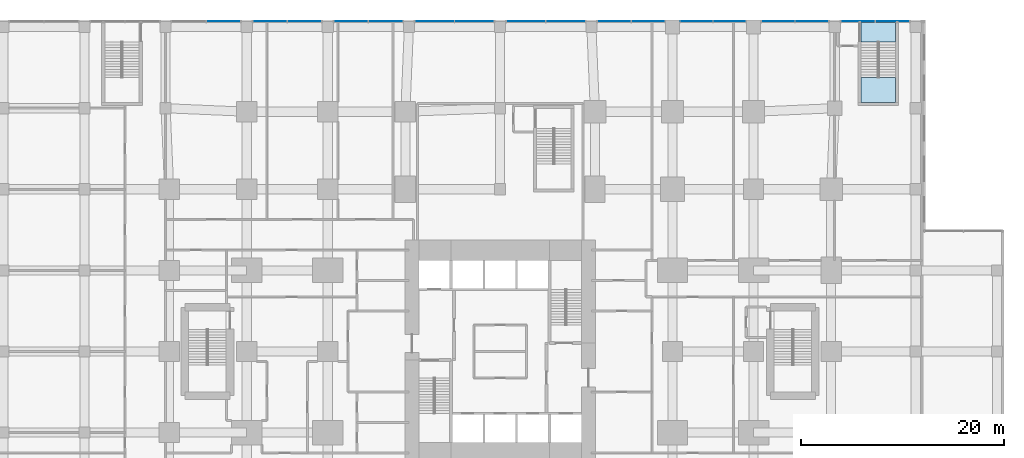
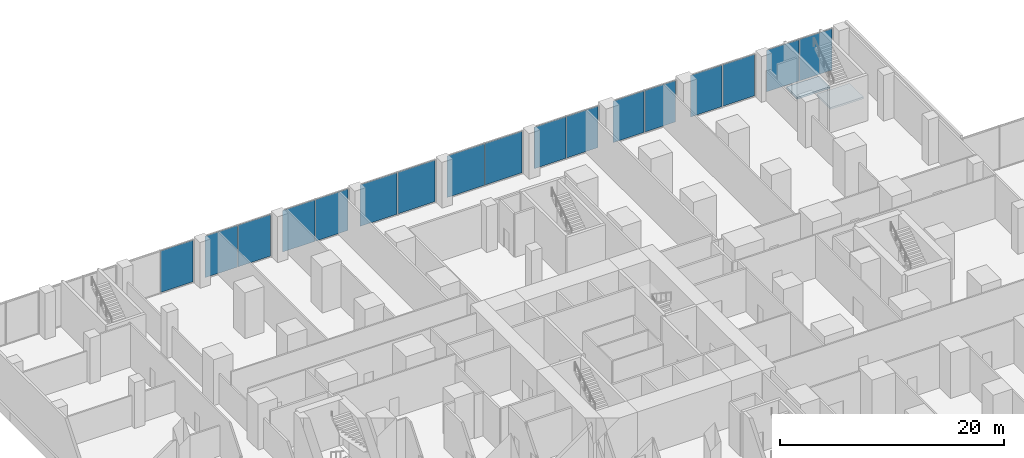
# One storey, part 10 of 22: 17 plates, 2 slabs, 10 elements without a shape of their own.
"""IFC4 building model written with IfcOpenShell, lengths in metres."""

import ifcopenshell
import ifcopenshell.guid

model = None  # the IFC model being written
_history = None  # IfcOwnerHistory: only IFC2X3 demands one
_inside = {}  # id of a spatial element -> (the spatial element, [elements in it])
_under = {}  # id of a project, library or spatial element -> (it, [spatial elements below it])
_declared = {}  # id of a project -> (the project, [libraries it declares])
_typed = {}  # id of a type object -> (the type object, [elements of that type])
_made_of = {}  # id of a material, layer set ... -> (it, [elements and type objects made of it])


def new_model(schema):
    """Start an empty IFC model of exactly this schema.

    Asked for "IFC4X3", IfcOpenShell would pick the latest addendum, in which some entities
    have other attributes; the version numbers below select the first issue.
    IFC2X3 requires an IfcOwnerHistory on every rooted entity: one is made here for all.
    """
    global model, _history
    if schema == "IFC4X3":
        model = ifcopenshell.file(schema_version=(4, 3, 0, 0))
    else:
        model = ifcopenshell.file(schema=schema)
    _inside.clear()
    _under.clear()
    _declared.clear()
    _typed.clear()
    _made_of.clear()
    _history = None
    if model.schema == "IFC2X3":
        org = make("IfcOrganization", Name="unknown")
        user = make(
            "IfcPersonAndOrganization",
            ThePerson=make("IfcPerson", FamilyName="unknown"),
            TheOrganization=org,
        )
        app = make(
            "IfcApplication",
            ApplicationDeveloper=org,
            Version="unknown",
            ApplicationFullName="unknown",
            ApplicationIdentifier="unknown",
        )
        _history = make(
            "IfcOwnerHistory",
            OwningUser=user,
            OwningApplication=app,
            ChangeAction="ADDED",
            CreationDate=0,
        )
    return model


def make(cls, **values):
    """One entity of the class cls with the attributes given. An attribute that is None is left unset."""
    return model.create_entity(
        cls, **{name: value for name, value in values.items() if value is not None}
    )


def rooted(cls, **values):
    """An entity with a GlobalId (a new one), such as an element, a storey or a relation."""
    return make(cls, GlobalId=ifcopenshell.guid.new(), OwnerHistory=_history, **values)


def si_unit(unit_type, name, prefix=None):
    """IfcSIUnit, for example si_unit("LENGTHUNIT", "METRE", prefix="MILLI")."""
    return make("IfcSIUnit", UnitType=unit_type, Prefix=prefix, Name=name)


def assignment(units):
    """IfcUnitAssignment: the units of a project."""
    return None if units is None else make("IfcUnitAssignment", Units=units)


def point(xyz):
    """IfcCartesianPoint."""
    return None if xyz is None else make("IfcCartesianPoint", Coordinates=xyz)


def direction(xyz):
    """IfcDirection."""
    return None if xyz is None else make("IfcDirection", DirectionRatios=xyz)


def frame(location, z_axis=None, x_axis=None):
    """IfcAxis2Placement3D, a coordinate frame: its origin and axes. An axis left out is left unset."""
    return make(
        "IfcAxis2Placement3D",
        Location=point(location),
        Axis=direction(z_axis),
        RefDirection=direction(x_axis),
    )


def frame_2d(location, x_axis=None):
    """IfcAxis2Placement2D, a coordinate frame in the plane: its origin and x axis."""
    return make(
        "IfcAxis2Placement2D", Location=point(location), RefDirection=direction(x_axis)
    )


def origin():
    """The frame at (0, 0, 0) with its axes left unset."""
    return frame((0.0, 0.0, 0.0))


def origin_2d():
    """The frame at (0, 0) in the plane with its x axis left unset."""
    return frame_2d((0.0, 0.0))


def place(relative_to, where):
    """IfcLocalPlacement: puts the frame where relative to a parent placement (None: the world)."""
    return make(
        "IfcLocalPlacement", PlacementRelTo=relative_to, RelativePlacement=where
    )


def context(
    kind, dimensions, precision=None, world=None, true_north=None, identifier=None
):
    """IfcGeometricRepresentationContext, for example the 3D "Model" context."""
    return make(
        "IfcGeometricRepresentationContext",
        ContextIdentifier=identifier,
        ContextType=kind,
        CoordinateSpaceDimension=dimensions,
        Precision=precision,
        WorldCoordinateSystem=world,
        TrueNorth=true_north,
    )


def subcontext(parent, identifier, kind, view, scale=None):
    """IfcGeometricRepresentationSubContext, for example "Body" below "Model"."""
    return make(
        "IfcGeometricRepresentationSubContext",
        ContextIdentifier=identifier,
        ContextType=kind,
        ParentContext=parent,
        TargetScale=scale,
        TargetView=view,
    )


def project(units=None, contexts=None):
    """IfcProject with its units and contexts."""
    return rooted(
        "IfcProject",
        Name="project",
        RepresentationContexts=contexts,
        UnitsInContext=assignment(units),
    )


def spatial(cls, under=None, at=None, **own):
    """A site, building, storey or space (cls), placed at a placement, below another one or the project."""
    s = rooted(cls, ObjectPlacement=at, **own)
    if under is not None:
        _under.setdefault(under.id(), (under, []))[1].append(s)
    return s


def polyline(points):
    """IfcPolyline through the points."""
    return make("IfcPolyline", Points=[point(p) for p in points])


def profile(cls, at=None, kind="AREA", **sizes):
    """A parametric profile (cls). Its sizes go by their IFC names, for example OverallWidth=200.0."""
    return make(cls, ProfileType=kind, Position=at, **sizes)


def rectangle(**sizes):
    """IfcRectangleProfileDef."""
    return profile("IfcRectangleProfileDef", **sizes)


def outline(outer, holes=None, kind="AREA"):
    """IfcArbitraryClosedProfileDef: a profile drawn as a closed curve; with holes, ...WithVoids."""
    if holes is None:
        return make("IfcArbitraryClosedProfileDef", ProfileType=kind, OuterCurve=outer)
    return make(
        "IfcArbitraryProfileDefWithVoids",
        ProfileType=kind,
        OuterCurve=outer,
        InnerCurves=holes,
    )


def extrude(swept, where, along, depth):
    """IfcExtrudedAreaSolid: the profile swept, set in the frame where, extruded along a direction by depth."""
    return make(
        "IfcExtrudedAreaSolid",
        SweptArea=swept,
        Position=where,
        ExtrudedDirection=direction(along),
        Depth=depth,
    )


def shape(context_of_items, identifier, shape_type, items):
    """IfcShapeRepresentation: the items that make up one representation, for example the "Body"."""
    return make(
        "IfcShapeRepresentation",
        ContextOfItems=context_of_items,
        RepresentationIdentifier=identifier,
        RepresentationType=shape_type,
        Items=items,
    )


def material(Name=None, Category=None):
    """IfcMaterial."""
    return make("IfcMaterial", Name=Name, Category=Category)


def layer(
    of_material, thickness, ventilated=None, Name=None, Category=None, Priority=None
):
    """IfcMaterialLayer: one layer of a wall or slab, of a material (None: an air gap)."""
    return make(
        "IfcMaterialLayer",
        Material=of_material,
        LayerThickness=thickness,
        IsVentilated=ventilated,
        Name=Name,
        Category=Category,
        Priority=Priority,
    )


def layer_set(layers, Name=None):
    """IfcMaterialLayerSet."""
    return make("IfcMaterialLayerSet", MaterialLayers=layers, LayerSetName=Name)


def made_of(thing, what):
    """Note that an element or type object is made of a material, layer set ...; save() writes the relation."""
    if what is not None:
        _made_of.setdefault(what.id(), (what, []))[1].append(thing)
    return thing


def type_object(cls, material=None, **own):
    """A type object (cls), such as IfcWallType, which elements share."""
    return made_of(rooted(cls, **own), material)


def element(
    cls,
    number,
    at=None,
    inside=None,
    cuts=None,
    type_object=None,
    material=None,
    context=None,
    identifier="Body",
    shape_type=None,
    held_by="IfcProductDefinitionShape",
    body=None,
    shapes=None,
    **own,
):
    """One element of the class cls, such as IfcWall. Its Tag is "e" and its number.

    at: its placement. inside: the storey or other place that contains it. cuts: it is an
    opening in that element (IfcRelVoidsElement). A single representation is given by context,
    identifier, shape_type and body (its items); several are given by shapes. held_by: the class
    of the entity that holds the representations. save() writes the other relations.
    """
    e = rooted(cls, Tag="e%d" % number, ObjectPlacement=at, **own)
    if body is not None:
        shapes = [shape(context, identifier, shape_type, body)]
    if shapes is not None:
        e.Representation = make(held_by, Representations=shapes)
    if inside is not None:
        _inside.setdefault(inside.id(), (inside, []))[1].append(e)
    if cuts is not None:
        rooted(
            "IfcRelVoidsElement", RelatingBuildingElement=cuts, RelatedOpeningElement=e
        )
    if type_object is not None:
        _typed.setdefault(type_object.id(), (type_object, []))[1].append(e)
    return made_of(e, material)


def aggregate(whole, parts):
    """IfcRelAggregates: a whole, such as a stair, and the parts it consists of."""
    return rooted("IfcRelAggregates", RelatingObject=whole, RelatedObjects=parts)


def save(model, path):
    """Write the relations noted so far, then the file.

    IfcRelAggregates (storeys below a building ...), IfcRelContainedInSpatialStructure (elements
    in a storey), IfcRelDefinesByType, IfcRelAssociatesMaterial and IfcRelDeclares: one each for
    every whole, place, type object, material and project.
    """
    for whole, parts in _under.values():
        aggregate(whole, parts)
    for where, things in _inside.values():
        rooted(
            "IfcRelContainedInSpatialStructure",
            RelatedElements=things,
            RelatingStructure=where,
        )
    for kind, things in _typed.values():
        rooted("IfcRelDefinesByType", RelatedObjects=things, RelatingType=kind)
    for what, things in _made_of.values():
        rooted("IfcRelAssociatesMaterial", RelatedObjects=things, RelatingMaterial=what)
    for by, libraries in _declared.values():
        rooted("IfcRelDeclares", RelatingContext=by, RelatedDefinitions=libraries)
    model.write(path)


model = new_model("IFC4")

# Units and contexts
model_context = context("Model", 3, precision=1e-05, world=origin(), true_north=direction((0.0, 1.0)))
body_context = subcontext(model_context, "Body", "Model", "MODEL_VIEW")
ifc_project = project(units=[si_unit("LENGTHUNIT", "METRE"), si_unit("AREAUNIT", "SQUARE_METRE"), si_unit("VOLUMEUNIT", "CUBIC_METRE"), si_unit("PLANEANGLEUNIT", "RADIAN"), si_unit("MASSUNIT", "GRAM", prefix="KILO")], contexts=[model_context])

# Site, building, storey
site_placement = place(None, origin())
site = spatial("IfcSite", under=ifc_project, at=site_placement, CompositionType="ELEMENT")
building_placement = place(site_placement, origin())
building = spatial("IfcBuilding", under=site, at=building_placement, Name="Cleftline Residences", CompositionType="ELEMENT")
storey_placement = place(building_placement, frame((0.0, 0.0, 6.0)))
storey = spatial("IfcBuildingStorey", under=building, at=storey_placement, Name="L01", CompositionType="ELEMENT", Elevation=6.0)

# Curtain wall, plates
ifc_material_1 = material(Name="Aluminium framed curtain wall", Category="aluminium")
ifc_layer_1 = layer(ifc_material_1, 0.199951171875)
ifc_layer_set_1 = layer_set([ifc_layer_1], Name="CW2 PODIUM GLAZING")
curtain_wall_type = type_object("IfcCurtainWallType", Name="CW2 PODIUM GLAZING", PredefinedType="NOTDEFINED", material=ifc_layer_set_1)
curtain_wall_1_placement = place(storey_placement, origin())
curtain_wall_1 = element("IfcCurtainWall", 1, at=curtain_wall_1_placement, inside=storey, type_object=curtain_wall_type, Name="Curtain wall CW2", PredefinedType="NOTDEFINED")
ifc_material_2 = material(Name="Laminated clear glass", Category="glass")
ifc_layer_2 = layer(ifc_material_2, 0.028076171875)
ifc_layer_set_2 = layer_set([ifc_layer_2], Name="CW2 GLASS PANEL")
plate_type = type_object("IfcPlateType", Name="CW2 GLASS PANEL", PredefinedType="CURTAIN_PANEL", material=ifc_layer_set_2)
plate_1_placement = place(storey_placement, frame((71.705078125, 56.574951171875, 0.080078125), z_axis=(0.0, 0.0, 1.0), x_axis=(-1.0, 0.0, 0.0)))
plate_1 = element("IfcPlate", 2, at=plate_1_placement, type_object=plate_type, Name="CW2 panel 1.1", PredefinedType="CURTAIN_PANEL", context=body_context, shape_type="SweptSolid", body=[
    extrude(rectangle(XDim=3.330078125, YDim=0.028076171875, at=origin_2d()), origin(), (0.0, 0.0, 1.0), 4.5400390625),
])
plate_2_placement = place(storey_placement, frame((68.294921875, 56.574951171875, 0.080078125), z_axis=(0.0, 0.0, 1.0), x_axis=(-1.0, 0.0, 0.0)))
plate_2 = element("IfcPlate", 3, at=plate_2_placement, type_object=plate_type, Name="CW2 panel 2.1", PredefinedType="CURTAIN_PANEL", context=body_context, shape_type="SweptSolid", body=[
    extrude(rectangle(XDim=3.330078125, YDim=0.028076171875, at=origin_2d()), origin(), (0.0, 0.0, 1.0), 4.5400390625),
])
aggregate(curtain_wall_1, [plate_1, plate_2])

curtain_wall_2_placement = place(storey_placement, origin())
curtain_wall_2 = element("IfcCurtainWall", 4, at=curtain_wall_2_placement, inside=storey, type_object=curtain_wall_type, Name="Curtain wall CW2", PredefinedType="NOTDEFINED")
plate_3_placement = place(storey_placement, frame((63.742431640625, 56.574951171875, 0.080078125), z_axis=(0.0, 0.0, 1.0), x_axis=(-1.0, 0.0, 0.0)))
plate_3 = element("IfcPlate", 5, at=plate_3_placement, type_object=plate_type, Name="CW2 panel 1.1", PredefinedType="CURTAIN_PANEL", context=body_context, shape_type="SweptSolid", body=[
    extrude(rectangle(XDim=3.2548828125, YDim=0.028076171875, at=origin_2d()), origin(), (0.0, 0.0, 1.0), 4.5400390625),
])
plate_4_placement = place(storey_placement, frame((60.407470703125, 56.574951171875, 0.080078125), z_axis=(0.0, 0.0, 1.0), x_axis=(-1.0, 0.0, 0.0)))
plate_4 = element("IfcPlate", 6, at=plate_4_placement, type_object=plate_type, Name="CW2 panel 2.1", PredefinedType="CURTAIN_PANEL", context=body_context, shape_type="SweptSolid", body=[
    extrude(rectangle(XDim=3.2548828125, YDim=0.028076171875, at=origin_2d()), origin(), (0.0, 0.0, 1.0), 4.5400390625),
])
aggregate(curtain_wall_2, [plate_3, plate_4])

curtain_wall_3_placement = place(storey_placement, origin())
curtain_wall_3 = element("IfcCurtainWall", 7, at=curtain_wall_3_placement, inside=storey, type_object=curtain_wall_type, Name="Curtain wall CW2", PredefinedType="NOTDEFINED")
plate_5_placement = place(storey_placement, frame((55.6298828125, 56.574951171875, 0.080078125), z_axis=(0.0, 0.0, 1.0), x_axis=(-1.0, 0.0, 0.0)))
plate_5 = element("IfcPlate", 8, at=plate_5_placement, type_object=plate_type, Name="CW2 panel 1.1", PredefinedType="CURTAIN_PANEL", context=body_context, shape_type="SweptSolid", body=[
    extrude(rectangle(XDim=3.179931640625, YDim=0.028076171875, at=origin_2d()), origin(), (0.0, 0.0, 1.0), 4.5400390625),
])
plate_6_placement = place(storey_placement, frame((52.3701171875, 56.574951171875, 0.080078125), z_axis=(0.0, 0.0, 1.0), x_axis=(-1.0, 0.0, 0.0)))
plate_6 = element("IfcPlate", 9, at=plate_6_placement, type_object=plate_type, Name="CW2 panel 2.1", PredefinedType="CURTAIN_PANEL", context=body_context, shape_type="SweptSolid", body=[
    extrude(rectangle(XDim=3.179931640625, YDim=0.028076171875, at=origin_2d()), origin(), (0.0, 0.0, 1.0), 4.5400390625),
])
aggregate(curtain_wall_3, [plate_5, plate_6])

curtain_wall_4_placement = place(storey_placement, origin())
curtain_wall_4 = element("IfcCurtainWall", 10, at=curtain_wall_4_placement, inside=storey, type_object=curtain_wall_type, Name="Curtain wall CW2", PredefinedType="NOTDEFINED")
plate_7_placement = place(storey_placement, frame((47.592529296875, 56.574951171875, 0.080078125), z_axis=(0.0, 0.0, 1.0), x_axis=(-1.0, 0.0, 0.0)))
plate_7 = element("IfcPlate", 11, at=plate_7_placement, type_object=plate_type, Name="CW2 panel 1.1", PredefinedType="CURTAIN_PANEL", context=body_context, shape_type="SweptSolid", body=[
    extrude(rectangle(XDim=3.2548828125, YDim=0.028076171875, at=origin_2d()), origin(), (0.0, 0.0, 1.0), 4.5400390625),
])
plate_8_placement = place(storey_placement, frame((44.257568359375, 56.574951171875, 0.080078125), z_axis=(0.0, 0.0, 1.0), x_axis=(-1.0, 0.0, 0.0)))
plate_8 = element("IfcPlate", 12, at=plate_8_placement, type_object=plate_type, Name="CW2 panel 2.1", PredefinedType="CURTAIN_PANEL", context=body_context, shape_type="SweptSolid", body=[
    extrude(rectangle(XDim=3.2548828125, YDim=0.028076171875, at=origin_2d()), origin(), (0.0, 0.0, 1.0), 4.5400390625),
])
aggregate(curtain_wall_4, [plate_7, plate_8])

curtain_wall_5_placement = place(storey_placement, origin())
curtain_wall_5 = element("IfcCurtainWall", 13, at=curtain_wall_5_placement, inside=storey, type_object=curtain_wall_type, Name="Curtain wall CW2", PredefinedType="NOTDEFINED")
plate_9_placement = place(storey_placement, frame((39.455078125, 56.574951171875, 0.080078125), z_axis=(0.0, 0.0, 1.0), x_axis=(-1.0, 0.0, 0.0)))
plate_9 = element("IfcPlate", 14, at=plate_9_placement, type_object=plate_type, Name="CW2 panel 1.1", PredefinedType="CURTAIN_PANEL", context=body_context, shape_type="SweptSolid", body=[
    extrude(rectangle(XDim=3.830078125, YDim=0.028076171875, at=origin_2d()), origin(), (0.0, 0.0, 1.0), 4.5400390625),
])
plate_10_placement = place(storey_placement, frame((35.544921875, 56.574951171875, 0.080078125), z_axis=(0.0, 0.0, 1.0), x_axis=(-1.0, 0.0, 0.0)))
plate_10 = element("IfcPlate", 15, at=plate_10_placement, type_object=plate_type, Name="CW2 panel 2.1", PredefinedType="CURTAIN_PANEL", context=body_context, shape_type="SweptSolid", body=[
    extrude(rectangle(XDim=3.830078125, YDim=0.028076171875, at=origin_2d()), origin(), (0.0, 0.0, 1.0), 4.5400390625),
])
aggregate(curtain_wall_5, [plate_9, plate_10])

curtain_wall_6_placement = place(storey_placement, origin())
curtain_wall_6 = element("IfcCurtainWall", 16, at=curtain_wall_6_placement, inside=storey, type_object=curtain_wall_type, Name="Curtain wall CW2", PredefinedType="NOTDEFINED")
plate_11_placement = place(storey_placement, frame((30.455078125, 56.574951171875, 0.080078125), z_axis=(0.0, 0.0, 1.0), x_axis=(-1.0, 0.0, 0.0)))
plate_11 = element("IfcPlate", 17, at=plate_11_placement, type_object=plate_type, Name="CW2 panel 1.1", PredefinedType="CURTAIN_PANEL", context=body_context, shape_type="SweptSolid", body=[
    extrude(rectangle(XDim=3.830078125, YDim=0.028076171875, at=origin_2d()), origin(), (0.0, 0.0, 1.0), 4.5400390625),
])
plate_12_placement = place(storey_placement, frame((26.544921875, 56.574951171875, 0.080078125), z_axis=(0.0, 0.0, 1.0), x_axis=(-1.0, 0.0, 0.0)))
plate_12 = element("IfcPlate", 18, at=plate_12_placement, type_object=plate_type, Name="CW2 panel 2.1", PredefinedType="CURTAIN_PANEL", context=body_context, shape_type="SweptSolid", body=[
    extrude(rectangle(XDim=3.830078125, YDim=0.028076171875, at=origin_2d()), origin(), (0.0, 0.0, 1.0), 4.5400390625),
])
aggregate(curtain_wall_6, [plate_11, plate_12])

curtain_wall_7_placement = place(storey_placement, origin())
curtain_wall_7 = element("IfcCurtainWall", 19, at=curtain_wall_7_placement, inside=storey, type_object=curtain_wall_type, Name="Curtain wall CW2", PredefinedType="NOTDEFINED")
plate_13_placement = place(storey_placement, frame((21.705078125, 56.574951171875, 0.080078125), z_axis=(0.0, 0.0, 1.0), x_axis=(-1.0, 0.0, 0.0)))
plate_13 = element("IfcPlate", 20, at=plate_13_placement, type_object=plate_type, Name="CW2 panel 1.1", PredefinedType="CURTAIN_PANEL", context=body_context, shape_type="SweptSolid", body=[
    extrude(rectangle(XDim=3.330078125, YDim=0.028076171875, at=origin_2d()), origin(), (0.0, 0.0, 1.0), 4.5400390625),
])
plate_14_placement = place(storey_placement, frame((18.294921875, 56.574951171875, 0.080078125), z_axis=(0.0, 0.0, 1.0), x_axis=(-1.0, 0.0, 0.0)))
plate_14 = element("IfcPlate", 21, at=plate_14_placement, type_object=plate_type, Name="CW2 panel 2.1", PredefinedType="CURTAIN_PANEL", context=body_context, shape_type="SweptSolid", body=[
    extrude(rectangle(XDim=3.330078125, YDim=0.028076171875, at=origin_2d()), origin(), (0.0, 0.0, 1.0), 4.5400390625),
])
aggregate(curtain_wall_7, [plate_13, plate_14])

curtain_wall_8_placement = place(storey_placement, origin())
curtain_wall_8 = element("IfcCurtainWall", 22, at=curtain_wall_8_placement, inside=storey, type_object=curtain_wall_type, Name="Curtain wall CW2", PredefinedType="NOTDEFINED")
plate_15_placement = place(storey_placement, frame((13.705078125, 56.574951171875, 0.080078125), z_axis=(0.0, 0.0, 1.0), x_axis=(-1.0, 0.0, 0.0)))
plate_15 = element("IfcPlate", 23, at=plate_15_placement, type_object=plate_type, Name="CW2 panel 1.1", PredefinedType="CURTAIN_PANEL", context=body_context, shape_type="SweptSolid", body=[
    extrude(rectangle(XDim=3.330078125, YDim=0.028076171875, at=origin_2d()), origin(), (0.0, 0.0, 1.0), 4.5400390625),
])
plate_16_placement = place(storey_placement, frame((10.294921875, 56.574951171875, 0.080078125), z_axis=(0.0, 0.0, 1.0), x_axis=(-1.0, 0.0, 0.0)))
plate_16 = element("IfcPlate", 24, at=plate_16_placement, type_object=plate_type, Name="CW2 panel 2.1", PredefinedType="CURTAIN_PANEL", context=body_context, shape_type="SweptSolid", body=[
    extrude(rectangle(XDim=3.330078125, YDim=0.028076171875, at=origin_2d()), origin(), (0.0, 0.0, 1.0), 4.5400390625),
])
aggregate(curtain_wall_8, [plate_15, plate_16])

# Curtain wall, plate
curtain_wall_9_placement = place(storey_placement, origin())
curtain_wall_9 = element("IfcCurtainWall", 25, at=curtain_wall_9_placement, inside=storey, type_object=curtain_wall_type, Name="Curtain wall CW2", PredefinedType="NOTDEFINED")
plate_17_placement = place(storey_placement, frame((5.705078125, 56.574951171875, 0.080078125), z_axis=(0.0, 0.0, 1.0), x_axis=(-1.0, 0.0, 0.0)))
plate_17 = element("IfcPlate", 26, at=plate_17_placement, type_object=plate_type, Name="CW2 panel 1.1", PredefinedType="CURTAIN_PANEL", context=body_context, shape_type="SweptSolid", body=[
    extrude(rectangle(XDim=3.330078125, YDim=0.028076171875, at=origin_2d()), origin(), (0.0, 0.0, 1.0), 4.5400390625),
])
aggregate(curtain_wall_9, [plate_17])

# Stair, slabs
ifc_material_3 = material(Name="Concrete B45, stone treads", Category="masonry")
stair_type = type_object("IfcStairType", Name="STAIR PS-E 1630 WIDE 179 RISER", PredefinedType="HALF_TURN_STAIR", material=ifc_material_3)
stair_placement = place(storey_placement, origin())
stair = element("IfcStair", 27, at=stair_placement, inside=storey, type_object=stair_type, Name="Stair PS-E L01", PredefinedType="HALF_TURN_STAIR")
ifc_material_4 = material(Name="Concrete B45", Category="concrete")
ifc_layer_3 = layer(ifc_material_4, 0.199951171875)
ifc_layer_set_3 = layer_set([ifc_layer_3], Name="STAIR LANDING 200")
slab_type = type_object("IfcSlabType", Name="STAIR LANDING 200", PredefinedType="LANDING", material=ifc_layer_set_3)
slab_1_placement = place(storey_placement, frame((0.0, 0.0, -0.199951171875)))
slab_1 = element("IfcSlab", 28, at=slab_1_placement, type_object=slab_type, Name="ST-PS-E landing 1", PredefinedType="LANDING", context=body_context, shape_type="SweptSolid", body=[
    extrude(outline(polyline([(68.60009765625, 54.52001953125), (72.0, 54.52001953125), (72.0, 56.449951171875), (68.60009765625, 56.449951171875), (68.60009765625, 54.52001953125)])), origin(), (0.0, 0.0, 1.0), 0.199951171875),
])
slab_2_placement = place(storey_placement, frame((0.0, 0.0, 2.300048828125)))
slab_2 = element("IfcSlab", 29, at=slab_2_placement, type_object=slab_type, Name="ST-PS-E landing 2", PredefinedType="LANDING", context=body_context, shape_type="SweptSolid", body=[
    extrude(outline(polyline([(68.60009765625, 48.550048828125), (72.0, 48.550048828125), (72.0, 51.010009765625), (68.60009765625, 51.010009765625), (68.60009765625, 48.550048828125)])), origin(), (0.0, 0.0, 1.0), 0.199951171875),
])
aggregate(stair, [slab_1, slab_2])

save(model, "model.ifc")
